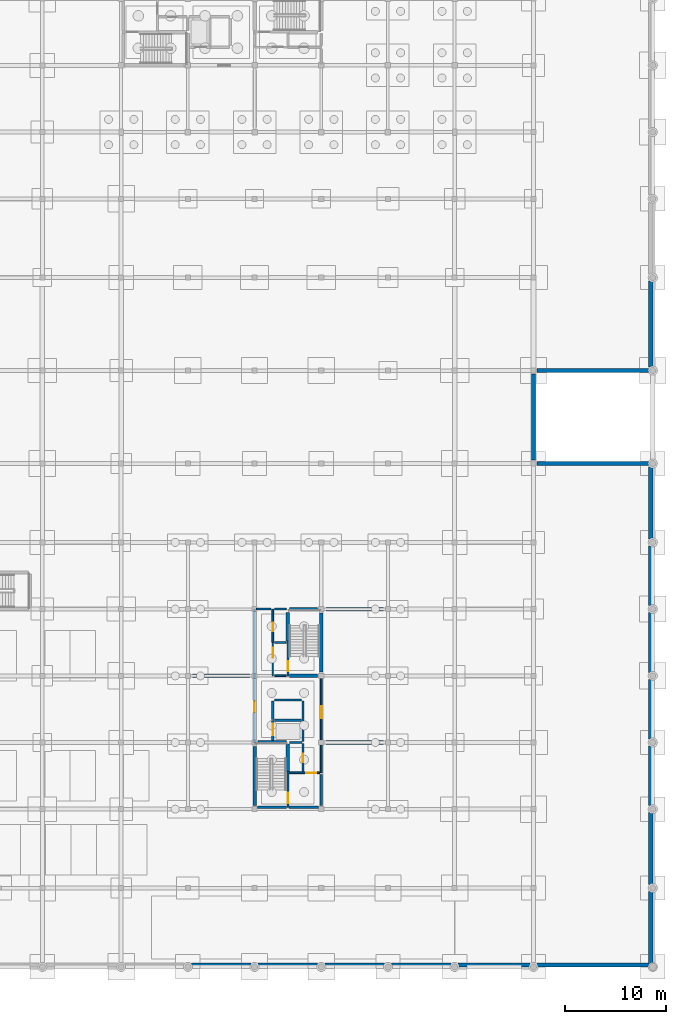
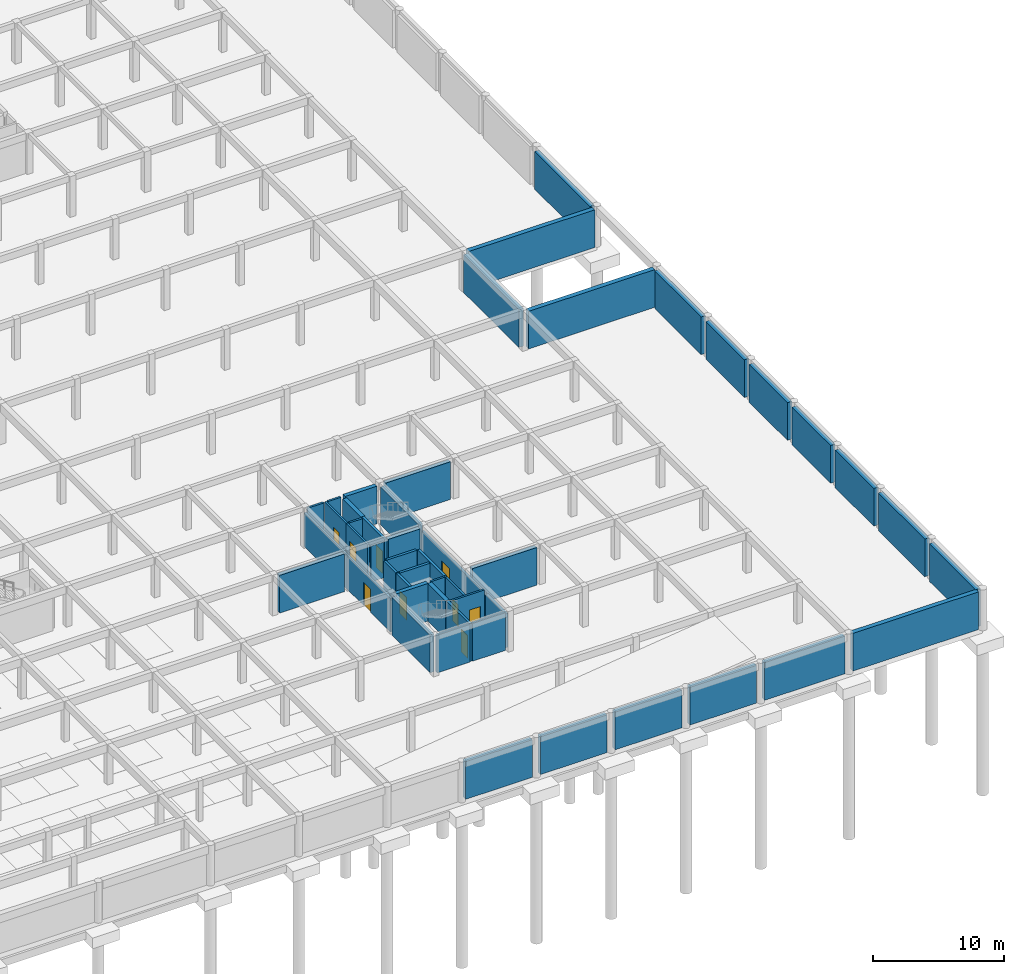
# One storey, part 30 of 37: 48 walls, 9 doors, 9 openings.
"""IFC4 building model written with IfcOpenShell, lengths in metres."""

from ifc_helpers import new_model, si_unit, direction, frame, frame_2d, origin, place, context, subcontext, project, spatial, rectangle, extrude, material, layer, layer_set, type_object, element, fill, save


model = new_model("IFC4")

# Units and contexts
model_context = context("Model", 3, precision=1e-05, world=origin(), true_north=direction((0.0, 1.0)))
body_context = subcontext(model_context, "Body", "Model", "MODEL_VIEW")
ifc_project = project(units=[si_unit("LENGTHUNIT", "METRE"), si_unit("AREAUNIT", "SQUARE_METRE"), si_unit("VOLUMEUNIT", "CUBIC_METRE"), si_unit("PLANEANGLEUNIT", "RADIAN"), si_unit("MASSUNIT", "GRAM", prefix="KILO")], contexts=[model_context])

# Site, building, storey
site_placement = place(None, origin())
site = spatial("IfcSite", under=ifc_project, at=site_placement, CompositionType="ELEMENT")
building_placement = place(site_placement, origin())
building = spatial("IfcBuilding", under=site, at=building_placement, Name="Kernevlak Ridge Housing Community", CompositionType="ELEMENT")
storey_placement = place(building_placement, frame((0.0, 0.0, -3.800048828125)))
storey = spatial("IfcBuildingStorey", under=building, at=storey_placement, Name="B1", CompositionType="ELEMENT", Elevation=-3.800048828125)

# Wall, opening, door
ifc_material_1 = material(Name="Concrete C35/45", Category="concrete")
ifc_layer_1 = layer(ifc_material_1, 0.22509765625, Name="Concrete C35/45")
ifc_layer_set_1 = layer_set([ifc_layer_1], Name="Concrete C35/45")
wall_type_1 = type_object("IfcWallType", Name="PW-01", PredefinedType="STANDARD", material=ifc_layer_set_1)
wall_1_placement = place(storey_placement, frame((135.89990234375, 15.75, 0.0), z_axis=(0.0, 0.0, 1.0), x_axis=(0.0, 1.0, 0.0)))
wall_1 = element("IfcWall", 1, at=wall_1_placement, inside=storey, type_object=wall_type_1, Name="Interior wall PW-01 WAL-INT-B1-2084", PredefinedType="STANDARD", context=body_context, shape_type="SweptSolid", body=[
    extrude(rectangle(XDim=3.60009765625, YDim=0.22509765625, at=frame_2d((1.800048828125, 0.0))), origin(), (0.0, 0.0, 1.0), 3.52001953125),
])
opening_1_placement = place(wall_1_placement, frame((0.449951171875, 0.0, 0.0)))
opening_1 = element("IfcOpeningElement", 2, at=opening_1_placement, cuts=wall_1, Name="Opening E059", PredefinedType="OPENING", context=body_context, shape_type="SweptSolid", body=[
    extrude(rectangle(XDim=1.0400390625, YDim=2.1201171875, at=frame_2d((0.52001953125, 1.06005859375))), frame((0.0, 0.12255859375, 0.0), z_axis=(0.0, -1.0, 0.0), x_axis=(1.0, 0.0, 0.0)), (0.0, 0.0, 1.0), 0.2451171875),
])
ifc_material_2 = material(Name="Fire-rated sheet steel leaf", Category="steel")
door_type_1 = type_object("IfcDoorType", Name="DT-16", OperationType="NOTDEFINED", PredefinedType="DOOR", material=ifc_material_2)
door_1_placement = place(opening_1_placement, origin())
door_1 = element("IfcDoor", 3, at=door_1_placement, inside=storey, type_object=door_type_1, Name="Block C Stair 1 fire door E059", OperationType="SINGLE_SWING_RIGHT", OverallHeight=2.1201171875, OverallWidth=1.0400390625, PredefinedType="DOOR", context=body_context, shape_type="SweptSolid", body=[
    extrude(rectangle(XDim=1.0400390625, YDim=2.1201171875, at=frame_2d((0.52001953125, 1.06005859375))), frame((0.0, 0.02490234375, 0.0), z_axis=(0.0, -1.0, 0.0), x_axis=(1.0, 0.0, 0.0)), (0.0, 0.0, 1.0), 0.050048828125),
])
fill(opening_1, door_1)

wall_2_placement = place(storey_placement, frame((134.39990234375, 22.385009765625, 0.0), z_axis=(0.0, 0.0, 1.0), x_axis=(0.0, 1.0, 0.0)))
wall_2 = element("IfcWall", 4, at=wall_2_placement, inside=storey, type_object=wall_type_1, Name="Interior wall PW-01 WAL-INT-B1-2088", PredefinedType="STANDARD", context=body_context, shape_type="SweptSolid", body=[
    extrude(rectangle(XDim=2.014892578125, YDim=0.22509765625, at=frame_2d((1.00732421875, 0.0))), origin(), (0.0, 0.0, 1.0), 3.52001953125),
])
opening_2_placement = place(wall_2_placement, frame((0.550048828125, 0.0, 0.0)))
opening_2 = element("IfcOpeningElement", 5, at=opening_2_placement, cuts=wall_2, Name="Opening LD54", PredefinedType="OPENING", context=body_context, shape_type="SweptSolid", body=[
    extrude(rectangle(XDim=1.10009765625, YDim=2.10009765625, at=frame_2d((0.550048828125, 1.050048828125))), frame((0.0, 0.12255859375, 0.0), z_axis=(0.0, -1.0, 0.0), x_axis=(1.0, 0.0, 0.0)), (0.0, 0.0, 1.0), 0.2451171875),
])
ifc_material_3 = material(Name="Stainless steel EN 1.4401", Category="steel")
door_type_2 = type_object("IfcDoorType", Name="DT-LD1", OperationType="DOUBLE_DOOR_SLIDING", PredefinedType="DOOR", material=ifc_material_3)
door_2_placement = place(opening_2_placement, origin())
door_2 = element("IfcDoor", 6, at=door_2_placement, inside=storey, type_object=door_type_2, Name="Lift LF-C1 landing door LD54", OperationType="DOUBLE_DOOR_SLIDING", OverallHeight=2.10009765625, OverallWidth=1.10009765625, PredefinedType="DOOR", context=body_context, shape_type="SweptSolid", body=[
    extrude(rectangle(XDim=1.10009765625, YDim=2.10009765625, at=frame_2d((0.550048828125, 1.050048828125))), frame((0.0, 0.02490234375, 0.0), z_axis=(0.0, -1.0, 0.0), x_axis=(1.0, 0.0, 0.0)), (0.0, 0.0, 1.0), 0.050048828125),
])
fill(opening_2, door_2)

# Walls
wall_3_placement = place(storey_placement, frame((134.39990234375, 24.47998046875, 0.0), z_axis=(0.0, 0.0, 1.0), x_axis=(0.0, 1.0, 0.0)))
element("IfcWall", 7, at=wall_3_placement, inside=storey, type_object=wall_type_1, Name="Interior wall PW-01 WAL-INT-B1-2089", PredefinedType="STANDARD", context=body_context, shape_type="SweptSolid", body=[
    extrude(rectangle(XDim=1.840087890625, YDim=0.22509765625, at=frame_2d((0.919921875, 0.0))), origin(), (0.0, 0.0, 1.0), 3.52001953125),
])
wall_4_placement = place(storey_placement, frame((137.39990234375, 22.297607421875, 0.0), z_axis=(0.0, 0.0, 1.0), x_axis=(0.0, 1.0, 0.0)))
element("IfcWall", 8, at=wall_4_placement, inside=storey, type_object=wall_type_1, Name="Interior wall PW-01 WAL-INT-B1-2090", PredefinedType="STANDARD", context=body_context, shape_type="SweptSolid", body=[
    extrude(rectangle(XDim=4.0224609375, YDim=0.22509765625, at=frame_2d((2.01123046875, 0.0))), origin(), (0.0, 0.0, 1.0), 3.52001953125),
])
for number, where, z_axis, x_axis, name in (
    (9, (134.580078125, 24.39990234375, 0.0), (0.0, 0.0, 1.0), (1.0, 0.0, 0.0), "Interior wall PW-01 WAL-INT-B1-2092"),
    (10, (134.580078125, 26.39990234375, 0.0), (0.0, 0.0, 1.0), (1.0, 0.0, 0.0), "Interior wall PW-01 WAL-INT-B1-2093"),
):
    element("IfcWall", number, at=place(storey_placement, frame(where, z_axis=z_axis, x_axis=x_axis)), inside=storey, type_object=wall_type_1, Name=name, PredefinedType="STANDARD", context=body_context, shape_type="SweptSolid", body=[
        extrude(rectangle(XDim=2.639892578125, YDim=0.22509765625, at=frame_2d((1.31982421875, 0.0))), origin(), (0.0, 0.0, 1.0), 3.52001953125),
    ])

# Wall, opening, door
wall_5_placement = place(storey_placement, frame((135.89990234375, 28.800048828125, 0.0), z_axis=(0.0, 0.0, 1.0), x_axis=(0.0, 1.0, 0.0)))
wall_5 = element("IfcWall", 11, at=wall_5_placement, inside=storey, type_object=wall_type_1, Name="Interior wall PW-01 WAL-INT-B1-2094", PredefinedType="STANDARD", context=body_context, shape_type="SweptSolid", body=[
    extrude(rectangle(XDim=3.449951171875, YDim=0.22509765625, at=frame_2d((1.72509765625, 0.0))), origin(), (0.0, 0.0, 1.0), 3.52001953125),
])
opening_3_placement = place(wall_5_placement, frame((0.449951171875, 0.0, 0.0)))
opening_3 = element("IfcOpeningElement", 12, at=opening_3_placement, cuts=wall_5, Name="Opening E062", PredefinedType="OPENING", context=body_context, shape_type="SweptSolid", body=[
    extrude(rectangle(XDim=1.0, YDim=2.10009765625, at=frame_2d((0.5, 1.050048828125))), frame((0.0, 0.12255859375, 0.0), z_axis=(0.0, -1.0, 0.0), x_axis=(1.0, 0.0, 0.0)), (0.0, 0.0, 1.0), 0.2451171875),
])
door_type_3 = type_object("IfcDoorType", Name="DT-05", OperationType="NOTDEFINED", PredefinedType="DOOR", material=ifc_material_2)
door_3_placement = place(opening_3_placement, origin())
door_3 = element("IfcDoor", 13, at=door_3_placement, inside=storey, type_object=door_type_3, Name="Block C Stair 2 fire door E062", OperationType="SINGLE_SWING_LEFT", OverallHeight=2.10009765625, OverallWidth=1.0, PredefinedType="DOOR", context=body_context, shape_type="SweptSolid", body=[
    extrude(rectangle(XDim=1.0, YDim=2.10009765625, at=frame_2d((0.5, 1.050048828125))), frame((0.0, 0.02490234375, 0.0), z_axis=(0.0, -1.0, 0.0), x_axis=(1.0, 0.0, 0.0)), (0.0, 0.0, 1.0), 0.050048828125),
])
fill(opening_3, door_3)

# Walls
wall_6_placement = place(storey_placement, frame((139.199951171875, 15.97998046875, 0.0), z_axis=(0.0, 0.0, 1.0), x_axis=(0.0, 1.0, 0.0)))
element("IfcWall", 14, at=wall_6_placement, inside=storey, type_object=wall_type_1, Name="Interior wall PW-01 WAL-INT-B1-2103", PredefinedType="STANDARD", context=body_context, shape_type="SweptSolid", body=[
    extrude(rectangle(XDim=3.0400390625, YDim=0.22509765625, at=frame_2d((1.52001953125, 0.0))), origin(), (0.0, 0.0, 1.0), 3.150146484375),
])
wall_7_placement = place(storey_placement, frame((132.8798828125, 15.800048828125, 0.0), z_axis=(0.0, 0.0, 1.0), x_axis=(1.0, 0.0, 0.0)))
element("IfcWall", 15, at=wall_7_placement, inside=storey, type_object=wall_type_1, Name="Interior wall PW-01 WAL-INT-B1-2104", PredefinedType="STANDARD", context=body_context, shape_type="SweptSolid", body=[
    extrude(rectangle(XDim=2.897705078125, YDim=0.22509765625, at=frame_2d((1.44873046875, 0.0))), origin(), (0.0, 0.0, 1.0), 3.52001953125),
])
wall_8_placement = place(storey_placement, frame((136.0224609375, 15.800048828125, 0.0), z_axis=(0.0, 0.0, 1.0), x_axis=(1.0, 0.0, 0.0)))
element("IfcWall", 16, at=wall_8_placement, inside=storey, type_object=wall_type_1, Name="Interior wall PW-01 WAL-INT-B1-2104-S2", PredefinedType="STANDARD", context=body_context, shape_type="SweptSolid", body=[
    extrude(rectangle(XDim=2.8974609375, YDim=0.22509765625, at=frame_2d((1.44873046875, 0.0))), origin(), (0.0, 0.0, 1.0), 3.52001953125),
])

# Wall, opening, door
ifc_material_4 = material(Name="Concrete block masonry M10", Category="masonry")
ifc_layer_2 = layer(ifc_material_4, 0.175048828125, Name="Concrete block masonry M10")
ifc_layer_set_2 = layer_set([ifc_layer_2], Name="Concrete block masonry M10")
wall_type_2 = type_object("IfcWallType", Name="PW-02", PredefinedType="PARTITIONING", material=ifc_layer_set_2)
wall_9_placement = place(storey_placement, frame((136.050048828125, 19.199951171875, 0.0), z_axis=(0.0, 0.0, 1.0), x_axis=(1.0, 0.0, 0.0)))
wall_9 = element("IfcWall", 17, at=wall_9_placement, inside=storey, type_object=wall_type_2, Name="Interior wall PW-02 WAL-INT-B1-2085", PredefinedType="PARTITIONING", context=body_context, shape_type="SweptSolid", body=[
    extrude(rectangle(XDim=3.0, YDim=0.175048828125, at=frame_2d((1.5, 0.0))), origin(), (0.0, 0.0, 1.0), 3.52001953125),
])
opening_4_placement = place(wall_9_placement, frame((1.64990234375, 0.0, 0.0)))
opening_4 = element("IfcOpeningElement", 18, at=opening_4_placement, cuts=wall_9, Name="Opening E060", PredefinedType="OPENING", context=body_context, shape_type="SweptSolid", body=[
    extrude(rectangle(XDim=1.0, YDim=2.10009765625, at=frame_2d((0.5, 1.050048828125))), frame((0.0, 0.097412109375, 0.0), z_axis=(0.0, -1.0, 0.0), x_axis=(1.0, 0.0, 0.0)), (0.0, 0.0, 1.0), 0.195068359375),
])
door_4_placement = place(opening_4_placement, origin())
door_4 = element("IfcDoor", 19, at=door_4_placement, inside=storey, type_object=door_type_3, Name="Block C Firefighting lobby 1 door E060", OperationType="SINGLE_SWING_LEFT", OverallHeight=2.10009765625, OverallWidth=1.0, PredefinedType="DOOR", context=body_context, shape_type="SweptSolid", body=[
    extrude(rectangle(XDim=1.0, YDim=2.10009765625, at=frame_2d((0.5, 1.050048828125))), frame((0.0, 0.02490234375, 0.0), z_axis=(0.0, -1.0, 0.0), x_axis=(1.0, 0.0, 0.0)), (0.0, 0.0, 1.0), 0.050048828125),
])
fill(opening_4, door_4)

wall_10_placement = place(storey_placement, frame((137.39990234375, 19.300048828125, 0.0), z_axis=(0.0, 0.0, 1.0), x_axis=(0.0, 1.0, 0.0)))
wall_10 = element("IfcWall", 20, at=wall_10_placement, inside=storey, type_object=wall_type_2, Name="Interior wall PW-02 WAL-INT-B1-2086", PredefinedType="PARTITIONING", context=body_context, shape_type="SweptSolid", body=[
    extrude(rectangle(XDim=2.800048828125, YDim=0.175048828125, at=frame_2d((1.39990234375, 0.0))), origin(), (0.0, 0.0, 1.0), 3.52001953125),
])
opening_5_placement = place(wall_10_placement, frame((0.949951171875, 0.0, 0.0)))
opening_5 = element("IfcOpeningElement", 21, at=opening_5_placement, cuts=wall_10, Name="Opening E061", PredefinedType="OPENING", context=body_context, shape_type="SweptSolid", body=[
    extrude(rectangle(XDim=0.85009765625, YDim=2.0, at=frame_2d((0.425048828125, 1.0))), frame((0.0, 0.097412109375, 0.0), z_axis=(0.0, -1.0, 0.0), x_axis=(1.0, 0.0, 0.0)), (0.0, 0.0, 1.0), 0.195068359375),
])
door_type_4 = type_object("IfcDoorType", Name="DT-07", OperationType="NOTDEFINED", PredefinedType="DOOR", material=ifc_material_2)
door_5_placement = place(opening_5_placement, origin())
door_5 = element("IfcDoor", 22, at=door_5_placement, inside=storey, type_object=door_type_4, Name="Block C Riser shaft door E061", OperationType="SINGLE_SWING_RIGHT", OverallHeight=2.0, OverallWidth=0.85009765625, PredefinedType="DOOR", context=body_context, shape_type="SweptSolid", body=[
    extrude(rectangle(XDim=0.85009765625, YDim=2.0, at=frame_2d((0.425048828125, 1.0))), frame((0.0, 0.02490234375, 0.0), z_axis=(0.0, -1.0, 0.0), x_axis=(1.0, 0.0, 0.0)), (0.0, 0.0, 1.0), 0.050048828125),
])
fill(opening_5, door_5)

# Wall
wall_11_placement = place(storey_placement, frame((136.080078125, 22.199951171875, 0.0), z_axis=(0.0, 0.0, 1.0), x_axis=(1.0, 0.0, 0.0)))
element("IfcWall", 23, at=wall_11_placement, inside=storey, type_object=wall_type_2, Name="Interior wall PW-02 WAL-INT-B1-2087", PredefinedType="PARTITIONING", context=body_context, shape_type="SweptSolid", body=[
    extrude(rectangle(XDim=1.18994140625, YDim=0.175048828125, at=frame_2d((0.594970703125, 0.0))), origin(), (0.0, 0.0, 1.0), 3.52001953125),
])

# Wall, opening, door
wall_12_placement = place(storey_placement, frame((134.39990234375, 28.800048828125, 0.0), z_axis=(0.0, 0.0, 1.0), x_axis=(0.0, 1.0, 0.0)))
wall_12 = element("IfcWall", 24, at=wall_12_placement, inside=storey, type_object=wall_type_2, Name="Interior wall PW-02 WAL-INT-B1-2095", PredefinedType="PARTITIONING", context=body_context, shape_type="SweptSolid", body=[
    extrude(rectangle(XDim=3.300048828125, YDim=0.175048828125, at=frame_2d((1.64990234375, 0.0))), origin(), (0.0, 0.0, 1.0), 3.52001953125),
])
opening_6_placement = place(wall_12_placement, frame((1.800048828125, 0.0, 0.0)))
opening_6 = element("IfcOpeningElement", 25, at=opening_6_placement, cuts=wall_12, Name="Opening E063", PredefinedType="OPENING", context=body_context, shape_type="SweptSolid", body=[
    extrude(rectangle(XDim=1.0, YDim=2.159912109375, at=frame_2d((0.5, 1.080078125))), frame((0.0, 0.097412109375, 0.0), z_axis=(0.0, -1.0, 0.0), x_axis=(1.0, 0.0, 0.0)), (0.0, 0.0, 1.0), 0.195068359375),
])
door_type_5 = type_object("IfcDoorType", Name="DT-15", OperationType="NOTDEFINED", PredefinedType="DOOR", material=ifc_material_2)
door_6_placement = place(opening_6_placement, origin())
door_6 = element("IfcDoor", 26, at=door_6_placement, inside=storey, type_object=door_type_5, Name="Block C Firefighting lobby 2 door E063", OperationType="SINGLE_SWING_RIGHT", OverallHeight=2.159912109375, OverallWidth=1.0, PredefinedType="DOOR", context=body_context, shape_type="SweptSolid", body=[
    extrude(rectangle(XDim=1.0, YDim=2.159912109375, at=frame_2d((0.5, 1.080078125))), frame((0.0, 0.02490234375, 0.0), z_axis=(0.0, -1.0, 0.0), x_axis=(1.0, 0.0, 0.0)), (0.0, 0.0, 1.0), 0.050048828125),
])
fill(opening_6, door_6)

wall_13_placement = place(storey_placement, frame((134.39990234375, 32.10009765625, 0.0), z_axis=(0.0, 0.0, 1.0), x_axis=(0.0, 1.0, 0.0)))
wall_13 = element("IfcWall", 27, at=wall_13_placement, inside=storey, type_object=wall_type_2, Name="Interior wall PW-02 WAL-INT-B1-2096", PredefinedType="PARTITIONING", context=body_context, shape_type="SweptSolid", body=[
    extrude(rectangle(XDim=3.2998046875, YDim=0.175048828125, at=frame_2d((1.64990234375, 0.0))), origin(), (0.0, 0.0, 1.0), 3.52001953125),
])
opening_7_placement = place(wall_13_placement, frame((1.10009765625, 0.0, 0.0)))
opening_7 = element("IfcOpeningElement", 28, at=opening_7_placement, cuts=wall_13, Name="Opening E064", PredefinedType="OPENING", context=body_context, shape_type="SweptSolid", body=[
    extrude(rectangle(XDim=0.85009765625, YDim=2.0, at=frame_2d((0.425048828125, 1.0))), frame((0.0, 0.097412109375, 0.0), z_axis=(0.0, -1.0, 0.0), x_axis=(1.0, 0.0, 0.0)), (0.0, 0.0, 1.0), 0.195068359375),
])
door_7_placement = place(opening_7_placement, origin())
door_7 = element("IfcDoor", 29, at=door_7_placement, inside=storey, type_object=door_type_4, Name="Block C Cleaner store door E064", OperationType="SINGLE_SWING_LEFT", OverallHeight=2.0, OverallWidth=0.85009765625, PredefinedType="DOOR", context=body_context, shape_type="SweptSolid", body=[
    extrude(rectangle(XDim=0.85009765625, YDim=2.0, at=frame_2d((0.425048828125, 1.0))), frame((0.0, 0.02490234375, 0.0), z_axis=(0.0, -1.0, 0.0), x_axis=(1.0, 0.0, 0.0)), (0.0, 0.0, 1.0), 0.050048828125),
])
fill(opening_7, door_7)

# Walls
wall_14_placement = place(storey_placement, frame((134.580078125, 28.800048828125, 0.0), z_axis=(0.0, 0.0, 1.0), x_axis=(1.0, 0.0, 0.0)))
element("IfcWall", 30, at=wall_14_placement, inside=storey, type_object=wall_type_2, Name="Interior wall PW-02 WAL-INT-B1-2097", PredefinedType="PARTITIONING", context=body_context, shape_type="SweptSolid", body=[
    extrude(rectangle(XDim=1.139892578125, YDim=0.175048828125, at=frame_2d((0.56982421875, 0.0))), origin(), (0.0, 0.0, 1.0), 3.35009765625),
])
for number, where, z_axis, x_axis, name in (
    (31, (134.580078125, 32.10009765625, 0.0), (0.0, 0.0, 1.0), (1.0, 0.0, 0.0), "Interior wall PW-02 WAL-INT-B1-2098"),
    (32, (134.580078125, 35.39990234375, 0.0), (0.0, 0.0, 1.0), (1.0, 0.0, 0.0), "Interior wall PW-02 WAL-INT-B1-2099"),
):
    element("IfcWall", number, at=place(storey_placement, frame(where, z_axis=z_axis, x_axis=x_axis)), inside=storey, type_object=wall_type_2, Name=name, PredefinedType="PARTITIONING", context=body_context, shape_type="SweptSolid", body=[
        extrude(rectangle(XDim=1.139892578125, YDim=0.175048828125, at=frame_2d((0.56982421875, 0.0))), origin(), (0.0, 0.0, 1.0), 3.52001953125),
    ])

# Wall, opening, door
wall_15_placement = place(storey_placement, frame((132.60009765625, 22.199951171875, 0.0), z_axis=(0.0, 0.0, 1.0), x_axis=(0.0, 1.0, 0.0)))
wall_15 = element("IfcWall", 33, at=wall_15_placement, inside=storey, type_object=wall_type_2, Name="Interior wall PW-02 WAL-INT-B1-2100", PredefinedType="PARTITIONING", context=body_context, shape_type="SweptSolid", body=[
    extrude(rectangle(XDim=13.199951171875, YDim=0.175048828125, at=frame_2d((6.60009765625, 0.0))), origin(), (0.0, 0.0, 1.0), 3.150146484375),
])
opening_8_placement = place(wall_15_placement, frame((3.0, 0.0, 0.0)))
opening_8 = element("IfcOpeningElement", 34, at=opening_8_placement, cuts=wall_15, Name="Opening E065", PredefinedType="OPENING", context=body_context, shape_type="SweptSolid", body=[
    extrude(rectangle(XDim=1.10009765625, YDim=2.14990234375, at=frame_2d((0.550048828125, 1.074951171875))), frame((0.0, 0.097412109375, 0.0), z_axis=(0.0, -1.0, 0.0), x_axis=(1.0, 0.0, 0.0)), (0.0, 0.0, 1.0), 0.195068359375),
])
door_type_6 = type_object("IfcDoorType", Name="DT-06", OperationType="NOTDEFINED", PredefinedType="DOOR", material=ifc_material_2)
door_8_placement = place(opening_8_placement, origin())
door_8 = element("IfcDoor", 35, at=door_8_placement, inside=storey, type_object=door_type_6, Name="Block C B1 car park lobby door E065", OperationType="SINGLE_SWING_RIGHT", OverallHeight=2.14990234375, OverallWidth=1.10009765625, PredefinedType="DOOR", context=body_context, shape_type="SweptSolid", body=[
    extrude(rectangle(XDim=1.10009765625, YDim=2.14990234375, at=frame_2d((0.550048828125, 1.074951171875))), frame((0.0, 0.02490234375, 0.0), z_axis=(0.0, -1.0, 0.0), x_axis=(1.0, 0.0, 0.0)), (0.0, 0.0, 1.0), 0.050048828125),
])
fill(opening_8, door_8)

wall_16_placement = place(storey_placement, frame((139.199951171875, 19.199951171875, 0.0), z_axis=(0.0, 0.0, 1.0), x_axis=(0.0, 1.0, 0.0)))
wall_16 = element("IfcWall", 36, at=wall_16_placement, inside=storey, type_object=wall_type_2, Name="Interior wall PW-02 WAL-INT-B1-2101", PredefinedType="PARTITIONING", context=body_context, shape_type="SweptSolid", body=[
    extrude(rectangle(XDim=9.60009765625, YDim=0.175048828125, at=frame_2d((4.800048828125, 0.0))), origin(), (0.0, 0.0, 1.0), 3.150146484375),
])
opening_9_placement = place(wall_16_placement, frame((5.39990234375, 0.0, 0.0)))
opening_9 = element("IfcOpeningElement", 37, at=opening_9_placement, cuts=wall_16, Name="Opening E066", PredefinedType="OPENING", context=body_context, shape_type="SweptSolid", body=[
    extrude(rectangle(XDim=1.199951171875, YDim=2.179931640625, at=frame_2d((0.60009765625, 1.08984375))), frame((0.0, 0.097412109375, 0.0), z_axis=(0.0, -1.0, 0.0), x_axis=(1.0, 0.0, 0.0)), (0.0, 0.0, 1.0), 0.195068359375),
])
door_type_7 = type_object("IfcDoorType", Name="DT-17", OperationType="NOTDEFINED", PredefinedType="DOOR", material=ifc_material_2)
door_9_placement = place(opening_9_placement, origin())
door_9 = element("IfcDoor", 38, at=door_9_placement, inside=storey, type_object=door_type_7, Name="Block C B1 north lobby door E066", OperationType="SINGLE_SWING_LEFT", OverallHeight=2.179931640625, OverallWidth=1.199951171875, PredefinedType="DOOR", context=body_context, shape_type="SweptSolid", body=[
    extrude(rectangle(XDim=1.199951171875, YDim=2.179931640625, at=frame_2d((0.60009765625, 1.08984375))), frame((0.0, 0.02490234375, 0.0), z_axis=(0.0, -1.0, 0.0), x_axis=(1.0, 0.0, 0.0)), (0.0, 0.0, 1.0), 0.050048828125),
])
fill(opening_9, door_9)

# Walls
wall_17_placement = place(storey_placement, frame((132.780029296875, 35.39990234375, 0.0), z_axis=(0.0, 0.0, 1.0), x_axis=(1.0, 0.0, 0.0)))
element("IfcWall", 39, at=wall_17_placement, inside=storey, type_object=wall_type_2, Name="Interior wall PW-02 WAL-INT-B1-2102", PredefinedType="PARTITIONING", context=body_context, shape_type="SweptSolid", body=[
    extrude(rectangle(XDim=1.43994140625, YDim=0.175048828125, at=frame_2d((0.719970703125, 0.0))), origin(), (0.0, 0.0, 1.0), 3.52001953125),
])
ifc_material_5 = material(Name="Concrete C40/50", Category="concrete")
ifc_layer_3 = layer(ifc_material_5, 0.39990234375, Name="Concrete C40/50")
ifc_layer_set_3 = layer_set([ifc_layer_3], Name="Concrete C40/50")
wall_type_3 = type_object("IfcWallType", Name="RW-01", PredefinedType="USERDEFINED", material=ifc_layer_set_3)
wall_18_placement = place(storey_placement, frame((126.35009765625, 0.199951171875, 0.0), z_axis=(0.0, 0.0, 1.0), x_axis=(1.0, 0.0, 0.0)))
element("IfcWall", 40, at=wall_18_placement, inside=storey, type_object=wall_type_3, Name="Basement retaining wall RW-01 17", ObjectType="RETAININGWALL", PredefinedType="USERDEFINED", context=body_context, shape_type="SweptSolid", body=[
    extrude(rectangle(XDim=5.89990234375, YDim=0.39990234375, at=frame_2d((2.949951171875, 0.0))), origin(), (0.0, 0.0, 1.0), 3.52001953125),
])
wall_19_placement = place(storey_placement, frame((132.949951171875, 0.199951171875, 0.0), z_axis=(0.0, 0.0, 1.0), x_axis=(1.0, 0.0, 0.0)))
element("IfcWall", 41, at=wall_19_placement, inside=storey, type_object=wall_type_3, Name="Basement retaining wall RW-01 18", ObjectType="RETAININGWALL", PredefinedType="USERDEFINED", context=body_context, shape_type="SweptSolid", body=[
    extrude(rectangle(XDim=5.900146484375, YDim=0.39990234375, at=frame_2d((2.9501953125, 0.0))), origin(), (0.0, 0.0, 1.0), 3.52001953125),
])
wall_20_placement = place(storey_placement, frame((139.550048828125, 0.199951171875, 0.0), z_axis=(0.0, 0.0, 1.0), x_axis=(1.0, 0.0, 0.0)))
element("IfcWall", 42, at=wall_20_placement, inside=storey, type_object=wall_type_3, Name="Basement retaining wall RW-01 19", ObjectType="RETAININGWALL", PredefinedType="USERDEFINED", context=body_context, shape_type="SweptSolid", body=[
    extrude(rectangle(XDim=5.89990234375, YDim=0.39990234375, at=frame_2d((2.949951171875, 0.0))), origin(), (0.0, 0.0, 1.0), 3.52001953125),
])
wall_21_placement = place(storey_placement, frame((146.14990234375, 0.199951171875, 0.0), z_axis=(0.0, 0.0, 1.0), x_axis=(1.0, 0.0, 0.0)))
element("IfcWall", 43, at=wall_21_placement, inside=storey, type_object=wall_type_3, Name="Basement retaining wall RW-01 20", ObjectType="RETAININGWALL", PredefinedType="USERDEFINED", context=body_context, shape_type="SweptSolid", body=[
    extrude(rectangle(XDim=5.900146484375, YDim=0.39990234375, at=frame_2d((2.9501953125, 0.0))), origin(), (0.0, 0.0, 1.0), 3.52001953125),
])
wall_22_placement = place(storey_placement, frame((152.75, 0.199951171875, 0.0), z_axis=(0.0, 0.0, 1.0), x_axis=(1.0, 0.0, 0.0)))
element("IfcWall", 44, at=wall_22_placement, inside=storey, type_object=wall_type_3, Name="Basement retaining wall RW-01 21", ObjectType="RETAININGWALL", PredefinedType="USERDEFINED", context=body_context, shape_type="SweptSolid", body=[
    extrude(rectangle(XDim=7.10009765625, YDim=0.39990234375, at=frame_2d((3.550048828125, 0.0))), origin(), (0.0, 0.0, 1.0), 3.52001953125),
])
wall_23_placement = place(storey_placement, frame((160.550048828125, 0.199951171875, 0.0), z_axis=(0.0, 0.0, 1.0), x_axis=(1.0, 0.0, 0.0)))
element("IfcWall", 45, at=wall_23_placement, inside=storey, type_object=wall_type_3, Name="Basement retaining wall RW-01 22", ObjectType="RETAININGWALL", PredefinedType="USERDEFINED", context=body_context, shape_type="SweptSolid", body=[
    extrude(rectangle(XDim=11.099853515625, YDim=0.39990234375, at=frame_2d((5.5498046875, 0.0))), origin(), (0.0, 0.0, 1.0), 3.52001953125),
])
wall_24_placement = place(storey_placement, frame((171.800048828125, 0.35009765625, 0.0), z_axis=(0.0, 0.0, 1.0), x_axis=(0.0, 1.0, 0.0)))
element("IfcWall", 46, at=wall_24_placement, inside=storey, type_object=wall_type_3, Name="Basement retaining wall RW-01 61", ObjectType="RETAININGWALL", PredefinedType="USERDEFINED", context=body_context, shape_type="SweptSolid", body=[
    extrude(rectangle(XDim=7.099853515625, YDim=0.39990234375, at=frame_2d((3.5498046875, 0.0))), origin(), (0.0, 0.0, 1.0), 3.52001953125),
])
wall_25_placement = place(storey_placement, frame((171.800048828125, 8.14990234375, 0.0), z_axis=(0.0, 0.0, 1.0), x_axis=(0.0, 1.0, 0.0)))
element("IfcWall", 47, at=wall_25_placement, inside=storey, type_object=wall_type_3, Name="Basement retaining wall RW-01 62", ObjectType="RETAININGWALL", PredefinedType="USERDEFINED", context=body_context, shape_type="SweptSolid", body=[
    extrude(rectangle(XDim=7.10009765625, YDim=0.39990234375, at=frame_2d((3.550048828125, 0.0))), origin(), (0.0, 0.0, 1.0), 3.52001953125),
])
wall_26_placement = place(storey_placement, frame((171.800048828125, 15.949951171875, 0.0), z_axis=(0.0, 0.0, 1.0), x_axis=(0.0, 1.0, 0.0)))
element("IfcWall", 48, at=wall_26_placement, inside=storey, type_object=wall_type_3, Name="Basement retaining wall RW-01 63", ObjectType="RETAININGWALL", PredefinedType="USERDEFINED", context=body_context, shape_type="SweptSolid", body=[
    extrude(rectangle(XDim=5.900146484375, YDim=0.39990234375, at=frame_2d((2.9501953125, 0.0))), origin(), (0.0, 0.0, 1.0), 3.52001953125),
])
wall_27_placement = place(storey_placement, frame((171.800048828125, 22.550048828125, 0.0), z_axis=(0.0, 0.0, 1.0), x_axis=(0.0, 1.0, 0.0)))
element("IfcWall", 49, at=wall_27_placement, inside=storey, type_object=wall_type_3, Name="Basement retaining wall RW-01 64", ObjectType="RETAININGWALL", PredefinedType="USERDEFINED", context=body_context, shape_type="SweptSolid", body=[
    extrude(rectangle(XDim=5.89990234375, YDim=0.39990234375, at=frame_2d((2.949951171875, 0.0))), origin(), (0.0, 0.0, 1.0), 3.52001953125),
])
wall_28_placement = place(storey_placement, frame((171.800048828125, 29.14990234375, 0.0), z_axis=(0.0, 0.0, 1.0), x_axis=(0.0, 1.0, 0.0)))
element("IfcWall", 50, at=wall_28_placement, inside=storey, type_object=wall_type_3, Name="Basement retaining wall RW-01 65", ObjectType="RETAININGWALL", PredefinedType="USERDEFINED", context=body_context, shape_type="SweptSolid", body=[
    extrude(rectangle(XDim=5.900146484375, YDim=0.39990234375, at=frame_2d((2.9501953125, 0.0))), origin(), (0.0, 0.0, 1.0), 3.52001953125),
])
wall_29_placement = place(storey_placement, frame((171.800048828125, 35.75, 0.0), z_axis=(0.0, 0.0, 1.0), x_axis=(0.0, 1.0, 0.0)))
element("IfcWall", 51, at=wall_29_placement, inside=storey, type_object=wall_type_3, Name="Basement retaining wall RW-01 66", ObjectType="RETAININGWALL", PredefinedType="USERDEFINED", context=body_context, shape_type="SweptSolid", body=[
    extrude(rectangle(XDim=5.89990234375, YDim=0.39990234375, at=frame_2d((2.949951171875, 0.0))), origin(), (0.0, 0.0, 1.0), 3.52001953125),
])
wall_30_placement = place(storey_placement, frame((171.800048828125, 42.35009765625, 0.0), z_axis=(0.0, 0.0, 1.0), x_axis=(0.0, 1.0, 0.0)))
element("IfcWall", 52, at=wall_30_placement, inside=storey, type_object=wall_type_3, Name="Basement retaining wall RW-01 67", ObjectType="RETAININGWALL", PredefinedType="USERDEFINED", context=body_context, shape_type="SweptSolid", body=[
    extrude(rectangle(XDim=7.099853515625, YDim=0.39990234375, at=frame_2d((3.5498046875, 0.0))), origin(), (0.0, 0.0, 1.0), 3.52001953125),
])
for number, where, z_axis, x_axis, name in (
    (53, (171.800048828125, 59.35009765625, 0.0), (0.0, 0.0, 1.0), (0.0, 1.0, 0.0), "Basement retaining wall RW-01 68"),
    (54, (160.199951171875, 50.14990234375, 0.0), (0.0, 0.0, 1.0), (0.0, 1.0, 0.0), "Basement retaining wall RW-01 76"),
):
    element("IfcWall", number, at=place(storey_placement, frame(where, z_axis=z_axis, x_axis=x_axis)), inside=storey, type_object=wall_type_3, Name=name, ObjectType="RETAININGWALL", PredefinedType="USERDEFINED", context=body_context, shape_type="SweptSolid", body=[
        extrude(rectangle(XDim=8.5, YDim=0.39990234375, at=frame_2d((4.25, 0.0))), origin(), (0.0, 0.0, 1.0), 3.52001953125),
    ])
for number, where, z_axis, x_axis, name in (
    (55, (160.550048828125, 49.800048828125, 0.0), (0.0, 0.0, 1.0), (1.0, 0.0, 0.0), "Basement retaining wall RW-01 77"),
    (56, (160.550048828125, 59.0, 0.0), (0.0, 0.0, 1.0), (1.0, 0.0, 0.0), "Basement retaining wall RW-01 78"),
):
    element("IfcWall", number, at=place(storey_placement, frame(where, z_axis=z_axis, x_axis=x_axis)), inside=storey, type_object=wall_type_3, Name=name, ObjectType="RETAININGWALL", PredefinedType="USERDEFINED", context=body_context, shape_type="SweptSolid", body=[
        extrude(rectangle(XDim=11.14990234375, YDim=0.39990234375, at=frame_2d((5.574951171875, 0.0))), origin(), (0.0, 0.0, 1.0), 3.52001953125),
    ])
ifc_layer_4 = layer(ifc_material_5, 0.35009765625, Name="Concrete C40/50")
ifc_layer_set_4 = layer_set([ifc_layer_4], Name="Concrete C40/50")
wall_type_4 = type_object("IfcWallType", Name="SW-01", PredefinedType="SHEAR", material=ifc_layer_set_4)
wall_31_placement = place(storey_placement, frame((132.60009765625, 15.97998046875, 0.0), z_axis=(0.0, 0.0, 1.0), x_axis=(0.0, 1.0, 0.0)))
element("IfcWall", 57, at=wall_31_placement, inside=storey, type_object=wall_type_4, Name="Shear wall SW-01 Block C B1 361", PredefinedType="SHEAR", context=body_context, shape_type="SweptSolid", body=[
    extrude(rectangle(XDim=5.840087890625, YDim=0.35009765625, at=frame_2d((2.919921875, 0.0))), origin(), (0.0, 0.0, 1.0), 3.52001953125),
])
wall_32_placement = place(storey_placement, frame((135.89990234375, 19.35009765625, 0.0), z_axis=(0.0, 0.0, 1.0), x_axis=(0.0, 1.0, 0.0)))
element("IfcWall", 58, at=wall_32_placement, inside=storey, type_object=wall_type_4, Name="Shear wall SW-01 Block C B1 362", PredefinedType="SHEAR", context=body_context, shape_type="SweptSolid", body=[
    extrude(rectangle(XDim=2.699951171875, YDim=0.35009765625, at=frame_2d((1.35009765625, 0.0))), origin(), (0.0, 0.0, 1.0), 3.52001953125),
])
wall_33_placement = place(storey_placement, frame((132.949951171875, 22.199951171875, 0.0), z_axis=(0.0, 0.0, 1.0), x_axis=(1.0, 0.0, 0.0)))
element("IfcWall", 59, at=wall_33_placement, inside=storey, type_object=wall_type_4, Name="Shear wall SW-01 Block C B1 363", PredefinedType="SHEAR", context=body_context, shape_type="SweptSolid", body=[
    extrude(rectangle(XDim=2.800048828125, YDim=0.35009765625, at=frame_2d((1.39990234375, 0.0))), origin(), (0.0, 0.0, 1.0), 3.52001953125),
])
wall_34_placement = place(storey_placement, frame((139.199951171875, 29.179931640625, 0.0), z_axis=(0.0, 0.0, 1.0), x_axis=(0.0, 1.0, 0.0)))
element("IfcWall", 60, at=wall_34_placement, inside=storey, type_object=wall_type_4, Name="Shear wall SW-01 Block C B1 364", PredefinedType="SHEAR", context=body_context, shape_type="SweptSolid", body=[
    extrude(rectangle(XDim=5.840087890625, YDim=0.35009765625, at=frame_2d((2.919921875, 0.0))), origin(), (0.0, 0.0, 1.0), 3.52001953125),
])
for number, where, z_axis, x_axis, name in (
    (61, (135.89990234375, 32.25, 0.0), (0.0, 0.0, 1.0), (0.0, 1.0, 0.0), "Shear wall SW-01 Block C B1 365"),
    (62, (136.050048828125, 28.800048828125, 0.0), (0.0, 0.0, 1.0), (1.0, 0.0, 0.0), "Shear wall SW-01 Block C B1 366"),
    (63, (136.050048828125, 35.39990234375, 0.0), (0.0, 0.0, 1.0), (1.0, 0.0, 0.0), "Shear wall SW-01 Block C B1 367"),
):
    element("IfcWall", number, at=place(storey_placement, frame(where, z_axis=z_axis, x_axis=x_axis)), inside=storey, type_object=wall_type_4, Name=name, PredefinedType="SHEAR", context=body_context, shape_type="SweptSolid", body=[
        extrude(rectangle(XDim=2.800048828125, YDim=0.35009765625, at=frame_2d((1.39990234375, 0.0))), origin(), (0.0, 0.0, 1.0), 3.52001953125),
    ])
wall_35_placement = place(storey_placement, frame((126.449951171875, 28.800048828125, 0.0), z_axis=(0.0, 0.0, 1.0), x_axis=(1.0, 0.0, 0.0)))
element("IfcWall", 64, at=wall_35_placement, inside=storey, type_object=wall_type_4, Name="Shear wall SW-01 Block C B1 368", PredefinedType="SHEAR", context=body_context, shape_type="SweptSolid", body=[
    extrude(rectangle(XDim=5.699951171875, YDim=0.35009765625, at=frame_2d((2.85009765625, 0.0))), origin(), (0.0, 0.0, 1.0), 3.52001953125),
])
for number, where, z_axis, x_axis, name in (
    (65, (139.64990234375, 22.199951171875, 0.0), (0.0, 0.0, 1.0), (1.0, 0.0, 0.0), "Shear wall SW-01 Block C B1 369"),
    (66, (139.64990234375, 35.39990234375, 0.0), (0.0, 0.0, 1.0), (1.0, 0.0, 0.0), "Shear wall SW-01 Block C B1 370"),
):
    element("IfcWall", number, at=place(storey_placement, frame(where, z_axis=z_axis, x_axis=x_axis)), inside=storey, type_object=wall_type_4, Name=name, PredefinedType="SHEAR", context=body_context, shape_type="SweptSolid", body=[
        extrude(rectangle(XDim=5.7001953125, YDim=0.35009765625, at=frame_2d((2.85009765625, 0.0))), origin(), (0.0, 0.0, 1.0), 3.52001953125),
    ])

save(model, "model.ifc")
